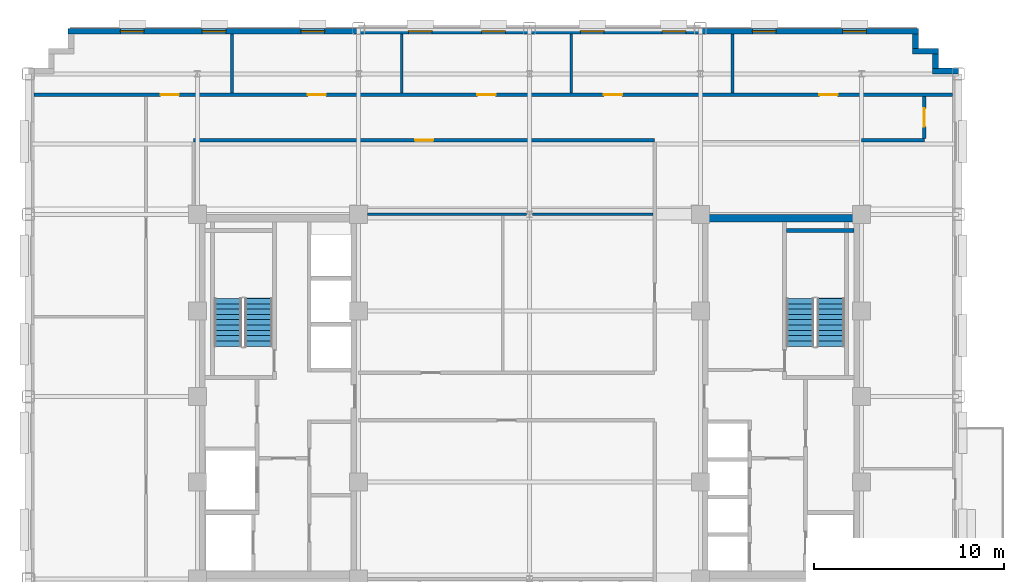
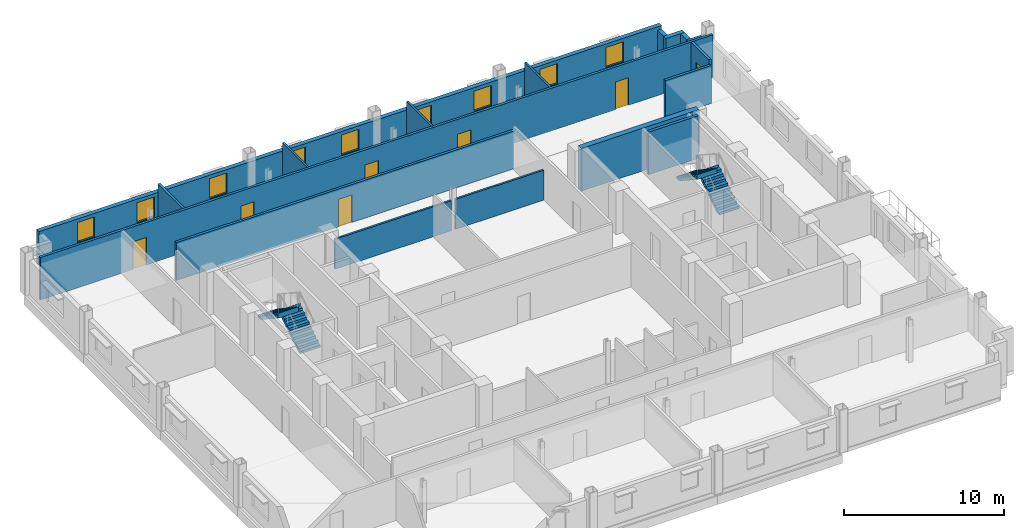
# One storey, part 10 of 14: 17 walls, 9 windows, 7 doors, 4 stair flights, 16 openings, 2 elements without a shape of their own.
"""IFC4 building model written with IfcOpenShell, lengths in metres."""

from ifc_helpers import new_model, si_unit, direction, frame, frame_2d, origin, place, context, subcontext, project, spatial, polyline, rectangle, outline, extrude, source, transform, mapped, material, layer, layer_set, type_object, type_shapes, element, fill, aggregate, save


model = new_model("IFC4")

# Units and contexts
model_context = context("Model", 3, precision=1e-05, world=origin(), true_north=direction((0.0, 1.0)))
body_context = subcontext(model_context, "Body", "Model", "MODEL_VIEW")
ifc_project = project(units=[si_unit("LENGTHUNIT", "METRE"), si_unit("AREAUNIT", "SQUARE_METRE"), si_unit("VOLUMEUNIT", "CUBIC_METRE"), si_unit("PLANEANGLEUNIT", "RADIAN"), si_unit("MASSUNIT", "GRAM", prefix="KILO")], contexts=[model_context])

# Site, building, storey
site_placement = place(None, origin())
site = spatial("IfcSite", under=ifc_project, at=site_placement, CompositionType="ELEMENT")
building_placement = place(site_placement, origin())
building = spatial("IfcBuilding", under=site, at=building_placement, Name="Nuvemarco Arch Tower", CompositionType="ELEMENT")
storey_placement = place(building_placement, frame((0.0, 0.0, 182.25)))
storey = spatial("IfcBuildingStorey", under=building, at=storey_placement, Name="L48", CompositionType="ELEMENT", Elevation=182.25)

# Walls
ifc_material_1 = material(Name="Precast concrete C45/55", Category="concrete")
ifc_layer_1 = layer(ifc_material_1, 0.31005859375, Name="EW-UPP-310")
ifc_layer_set_1 = layer_set([ifc_layer_1], Name="Precast concrete C45/55")
wall_type_1 = type_object("IfcWallType", Name="EW-UPP-310", PredefinedType="STANDARD", material=ifc_layer_set_1)
wall_1_placement = place(storey_placement, frame((21.239990234375, 17.14501953125, 0.0), z_axis=(0.0, 0.0, 1.0), x_axis=(1.0, 0.0, 0.0)))
element("IfcWall", 1, at=wall_1_placement, inside=storey, type_object=wall_type_1, Name="L48 exterior precast facade wall 7", PredefinedType="STANDARD", context=body_context, shape_type="SweptSolid", body=[
    extrude(rectangle(XDim=1.360107421875, YDim=0.31005859375, at=frame_2d((0.68017578125, 0.0))), origin(), (0.0, 0.0, 1.0), 2.3349609375),
])
wall_2_placement = place(storey_placement, frame((21.39501953125, 17.2958984375, 0.0), z_axis=(0.0, 0.0, 1.0), x_axis=(0.0, 1.0, 0.0)))
element("IfcWall", 2, at=wall_2_placement, inside=storey, type_object=wall_type_1, Name="L48 exterior precast facade wall 8", PredefinedType="STANDARD", context=body_context, shape_type="SweptSolid", body=[
    extrude(rectangle(XDim=0.748046875, YDim=0.31005859375, at=frame_2d((0.3740234375, 0.0))), origin(), (0.0, 0.0, 1.0), 2.3349609375),
])
wall_3_placement = place(storey_placement, frame((20.18994140625, 18.195068359375, 0.0), z_axis=(0.0, 0.0, 1.0), x_axis=(1.0, 0.0, 0.0)))
element("IfcWall", 3, at=wall_3_placement, inside=storey, type_object=wall_type_1, Name="L48 exterior precast facade wall 9", PredefinedType="STANDARD", context=body_context, shape_type="SweptSolid", body=[
    extrude(rectangle(XDim=1.360107421875, YDim=0.31005859375, at=frame_2d((0.68017578125, 0.0))), origin(), (0.0, 0.0, 1.0), 2.3349609375),
])
wall_4_placement = place(storey_placement, frame((20.344970703125, 18.345947265625, 0.0), z_axis=(0.0, 0.0, 1.0), x_axis=(0.0, 1.0, 0.0)))
element("IfcWall", 4, at=wall_4_placement, inside=storey, type_object=wall_type_1, Name="L48 exterior precast facade wall 10", PredefinedType="STANDARD", context=body_context, shape_type="SweptSolid", body=[
    extrude(rectangle(XDim=0.748046875, YDim=0.31005859375, at=frame_2d((0.3740234375, 0.0))), origin(), (0.0, 0.0, 1.0), 2.3349609375),
])

# Wall, openings, windows
wall_5_placement = place(storey_placement, frame((-24.300048828125, 19.2451171875, 0.0), z_axis=(0.0, 0.0, 1.0), x_axis=(1.0, 0.0, 0.0)))
wall_5 = element("IfcWall", 5, at=wall_5_placement, inside=storey, type_object=wall_type_1, Name="L48 exterior precast facade wall 11", PredefinedType="STANDARD", context=body_context, shape_type="SweptSolid", body=[
    extrude(rectangle(XDim=44.800048828125, YDim=0.31005859375, at=frame_2d((22.39990234375, 0.0))), origin(), (0.0, 0.0, 1.0), 2.5849609375),
])
opening_1_placement = place(wall_5_placement, frame((2.752685546875, 0.0, 0.800048828125)))
opening_1 = element("IfcOpeningElement", 6, at=opening_1_placement, cuts=wall_5, Name="Opening WN-13", PredefinedType="OPENING", context=body_context, shape_type="SweptSolid", body=[
    extrude(rectangle(XDim=1.25, YDim=1.52001953125, at=frame_2d((0.625, 0.760009765625))), frame((0.0, 0.1650390625, 0.0), z_axis=(0.0, -1.0, 0.0), x_axis=(1.0, 0.0, 0.0)), (0.0, 0.0, 1.0), 0.330078125),
])
opening_2_placement = place(wall_5_placement, frame((7.058349609375, 0.0, 0.800048828125)))
opening_2 = element("IfcOpeningElement", 7, at=opening_2_placement, cuts=wall_5, Name="Opening WN-13", PredefinedType="OPENING", context=body_context, shape_type="SweptSolid", body=[
    extrude(rectangle(XDim=1.25, YDim=1.52001953125, at=frame_2d((0.625, 0.760009765625))), frame((0.0, 0.1650390625, 0.0), z_axis=(0.0, -1.0, 0.0), x_axis=(1.0, 0.0, 0.0)), (0.0, 0.0, 1.0), 0.330078125),
])
opening_3_placement = place(wall_5_placement, frame((12.263916015625, 0.0, 0.800048828125)))
opening_3 = element("IfcOpeningElement", 8, at=opening_3_placement, cuts=wall_5, Name="Opening WN-13", PredefinedType="OPENING", context=body_context, shape_type="SweptSolid", body=[
    extrude(rectangle(XDim=1.25, YDim=1.52001953125, at=frame_2d((0.625, 0.760009765625))), frame((0.0, 0.1650390625, 0.0), z_axis=(0.0, -1.0, 0.0), x_axis=(1.0, 0.0, 0.0)), (0.0, 0.0, 1.0), 0.330078125),
])
opening_4_placement = place(wall_5_placement, frame((17.91943359375, 0.0, 0.800048828125)))
opening_4 = element("IfcOpeningElement", 9, at=opening_4_placement, cuts=wall_5, Name="Opening WN-13", PredefinedType="OPENING", context=body_context, shape_type="SweptSolid", body=[
    extrude(rectangle(XDim=1.25, YDim=1.52001953125, at=frame_2d((0.625, 0.760009765625))), frame((0.0, 0.1650390625, 0.0), z_axis=(0.0, -1.0, 0.0), x_axis=(1.0, 0.0, 0.0)), (0.0, 0.0, 1.0), 0.330078125),
])
opening_5_placement = place(wall_5_placement, frame((21.77490234375, 0.0, 0.800048828125)))
opening_5 = element("IfcOpeningElement", 10, at=opening_5_placement, cuts=wall_5, Name="Opening WN-13", PredefinedType="OPENING", context=body_context, shape_type="SweptSolid", body=[
    extrude(rectangle(XDim=1.25, YDim=1.52001953125, at=frame_2d((0.625, 0.760009765625))), frame((0.0, 0.1650390625, 0.0), z_axis=(0.0, -1.0, 0.0), x_axis=(1.0, 0.0, 0.0)), (0.0, 0.0, 1.0), 0.330078125),
])
opening_6_placement = place(wall_5_placement, frame((26.980712890625, 0.0, 0.800048828125)))
opening_6 = element("IfcOpeningElement", 11, at=opening_6_placement, cuts=wall_5, Name="Opening WN-13", PredefinedType="OPENING", context=body_context, shape_type="SweptSolid", body=[
    extrude(rectangle(XDim=1.25, YDim=1.52001953125, at=frame_2d((0.625, 0.760009765625))), frame((0.0, 0.1650390625, 0.0), z_axis=(0.0, -1.0, 0.0), x_axis=(1.0, 0.0, 0.0)), (0.0, 0.0, 1.0), 0.330078125),
])
opening_7_placement = place(wall_5_placement, frame((31.2861328125, 0.0, 0.800048828125)))
opening_7 = element("IfcOpeningElement", 12, at=opening_7_placement, cuts=wall_5, Name="Opening WN-13", PredefinedType="OPENING", context=body_context, shape_type="SweptSolid", body=[
    extrude(rectangle(XDim=1.25, YDim=1.52001953125, at=frame_2d((0.625, 0.760009765625))), frame((0.0, 0.1650390625, 0.0), z_axis=(0.0, -1.0, 0.0), x_axis=(1.0, 0.0, 0.0)), (0.0, 0.0, 1.0), 0.330078125),
])
opening_8_placement = place(wall_5_placement, frame((36.041748046875, 0.0, 0.800048828125)))
opening_8 = element("IfcOpeningElement", 13, at=opening_8_placement, cuts=wall_5, Name="Opening WN-13", PredefinedType="OPENING", context=body_context, shape_type="SweptSolid", body=[
    extrude(rectangle(XDim=1.25, YDim=1.52001953125, at=frame_2d((0.625, 0.760009765625))), frame((0.0, 0.1650390625, 0.0), z_axis=(0.0, -1.0, 0.0), x_axis=(1.0, 0.0, 0.0)), (0.0, 0.0, 1.0), 0.330078125),
])
opening_9_placement = place(wall_5_placement, frame((40.797119140625, 0.0, 0.800048828125)))
opening_9 = element("IfcOpeningElement", 14, at=opening_9_placement, cuts=wall_5, Name="Opening WN-13", PredefinedType="OPENING", context=body_context, shape_type="SweptSolid", body=[
    extrude(rectangle(XDim=1.25, YDim=1.52001953125, at=frame_2d((0.625, 0.760009765625))), frame((0.0, 0.1650390625, 0.0), z_axis=(0.0, -1.0, 0.0), x_axis=(1.0, 0.0, 0.0)), (0.0, 0.0, 1.0), 0.330078125),
])
ifc_material_2 = material(Name="Insulated solar-control glass", Category="glass")
window_type = type_object("IfcWindowType", Name="WN-SET-1250x1520", PartitioningType="SINGLE_PANEL", PredefinedType="WINDOW", material=ifc_material_2)
shared_shape_1 = source(origin(), body_context, "Body", "SweptSolid", [
    extrude(rectangle(XDim=1.25, YDim=1.52001953125, at=frame_2d((0.625, 0.760009765625))), frame((0.0, 0.030029296875, 0.0), z_axis=(0.0, -1.0, 0.0), x_axis=(1.0, 0.0, 0.0)), (0.0, 0.0, 1.0), 0.06005859375),
])
type_shapes(window_type, [shared_shape_1])
window_1_placement = place(opening_1_placement, origin())
window_1 = element("IfcWindow", 15, at=window_1_placement, inside=storey, type_object=window_type, Name="L48 punched facade window 1", OverallHeight=1.52001953125, OverallWidth=1.25, PartitioningType="SINGLE_PANEL", PredefinedType="WINDOW", context=body_context, shape_type="MappedRepresentation", body=[
    mapped(shared_shape_1, transform((0.0, 0.0, 0.0), scale=1.0)),
])
fill(opening_1, window_1)
window_2_placement = place(opening_2_placement, origin())
window_2 = element("IfcWindow", 16, at=window_2_placement, inside=storey, type_object=window_type, Name="L48 punched facade window 2", OverallHeight=1.52001953125, OverallWidth=1.25, PartitioningType="SINGLE_PANEL", PredefinedType="WINDOW", context=body_context, shape_type="MappedRepresentation", body=[
    mapped(shared_shape_1, transform((0.0, 0.0, 0.0), scale=1.0)),
])
fill(opening_2, window_2)
window_3_placement = place(opening_3_placement, origin())
window_3 = element("IfcWindow", 17, at=window_3_placement, inside=storey, type_object=window_type, Name="L48 punched facade window 3", OverallHeight=1.52001953125, OverallWidth=1.25, PartitioningType="SINGLE_PANEL", PredefinedType="WINDOW", context=body_context, shape_type="MappedRepresentation", body=[
    mapped(shared_shape_1, transform((0.0, 0.0, 0.0), scale=1.0)),
])
fill(opening_3, window_3)
window_4_placement = place(opening_4_placement, origin())
window_4 = element("IfcWindow", 18, at=window_4_placement, inside=storey, type_object=window_type, Name="L48 punched facade window 4", OverallHeight=1.52001953125, OverallWidth=1.25, PartitioningType="SINGLE_PANEL", PredefinedType="WINDOW", context=body_context, shape_type="MappedRepresentation", body=[
    mapped(shared_shape_1, transform((0.0, 0.0, 0.0), scale=1.0)),
])
fill(opening_4, window_4)
window_5_placement = place(opening_5_placement, origin())
window_5 = element("IfcWindow", 19, at=window_5_placement, inside=storey, type_object=window_type, Name="L48 punched facade window 5", OverallHeight=1.52001953125, OverallWidth=1.25, PartitioningType="SINGLE_PANEL", PredefinedType="WINDOW", context=body_context, shape_type="MappedRepresentation", body=[
    mapped(shared_shape_1, transform((0.0, 0.0, 0.0), scale=1.0)),
])
fill(opening_5, window_5)
window_6_placement = place(opening_6_placement, origin())
window_6 = element("IfcWindow", 20, at=window_6_placement, inside=storey, type_object=window_type, Name="L48 punched facade window 6", OverallHeight=1.52001953125, OverallWidth=1.25, PartitioningType="SINGLE_PANEL", PredefinedType="WINDOW", context=body_context, shape_type="MappedRepresentation", body=[
    mapped(shared_shape_1, transform((0.0, 0.0, 0.0), scale=1.0)),
])
fill(opening_6, window_6)
window_7_placement = place(opening_7_placement, origin())
window_7 = element("IfcWindow", 21, at=window_7_placement, inside=storey, type_object=window_type, Name="L48 punched facade window 7", OverallHeight=1.52001953125, OverallWidth=1.25, PartitioningType="SINGLE_PANEL", PredefinedType="WINDOW", context=body_context, shape_type="MappedRepresentation", body=[
    mapped(shared_shape_1, transform((0.0, 0.0, 0.0), scale=1.0)),
])
fill(opening_7, window_7)
window_8_placement = place(opening_8_placement, origin())
window_8 = element("IfcWindow", 22, at=window_8_placement, inside=storey, type_object=window_type, Name="L48 punched facade window 8", OverallHeight=1.52001953125, OverallWidth=1.25, PartitioningType="SINGLE_PANEL", PredefinedType="WINDOW", context=body_context, shape_type="MappedRepresentation", body=[
    mapped(shared_shape_1, transform((0.0, 0.0, 0.0), scale=1.0)),
])
fill(opening_8, window_8)
window_9_placement = place(opening_9_placement, origin())
window_9 = element("IfcWindow", 23, at=window_9_placement, inside=storey, type_object=window_type, Name="L48 punched facade window 9", OverallHeight=1.52001953125, OverallWidth=1.25, PartitioningType="SINGLE_PANEL", PredefinedType="WINDOW", context=body_context, shape_type="MappedRepresentation", body=[
    mapped(shared_shape_1, transform((0.0, 0.0, 0.0), scale=1.0)),
])
fill(opening_9, window_9)

# Wall
ifc_material_3 = material(Name="Concrete C60/75", Category="concrete")
ifc_layer_2 = layer(ifc_material_3, 0.39990234375, Name="WL-CORE-400")
ifc_layer_set_2 = layer_set([ifc_layer_2], Name="Concrete C60/75")
wall_type_2 = type_object("IfcWallType", Name="WL-CORE-400", PredefinedType="SHEAR", material=ifc_layer_set_2)
wall_6_placement = place(storey_placement, frame((9.0, 9.39990234375, 0.0), z_axis=(0.0, 0.0, 1.0), x_axis=(1.0, 0.0, 0.0)))
element("IfcWall", 24, at=wall_6_placement, inside=storey, type_object=wall_type_2, Name="L48 E-core shear wall N", PredefinedType="SHEAR", context=body_context, shape_type="SweptSolid", body=[
    extrude(rectangle(XDim=8.5, YDim=0.39990234375, at=frame_2d((4.25, 0.0))), origin(), (0.0, 0.0, 1.0), 3.25),
])

# Wall, opening, door
ifc_material_4 = material(Name="Fire-rated gypsum drywall partition")
ifc_layer_3 = layer(ifc_material_4, 0.179931640625, Name="WL-CORR-180")
ifc_layer_set_3 = layer_set([ifc_layer_3], Name="Fire-rated gypsum drywall partition")
wall_type_3 = type_object("IfcWallType", Name="WL-CORR-180", PredefinedType="PARTITIONING", material=ifc_layer_set_3)
wall_7_placement = place(storey_placement, frame((-17.699951171875, 13.5, 0.0), z_axis=(0.0, 0.0, 1.0), x_axis=(1.0, 0.0, 0.0)))
wall_7 = element("IfcWall", 25, at=wall_7_placement, inside=storey, type_object=wall_type_3, Name="L48 interior wall IW-L48-012", PredefinedType="PARTITIONING", context=body_context, shape_type="SweptSolid", body=[
    extrude(rectangle(XDim=24.300048828125, YDim=0.179931640625, at=frame_2d((12.14990234375, 0.0))), origin(), (0.0, 0.0, 1.0), 2.887939453125),
])
opening_10_placement = place(wall_7_placement, frame((11.669921875, 0.0, 0.0)))
opening_10 = element("IfcOpeningElement", 26, at=opening_10_placement, cuts=wall_7, Name="Opening FD-5", PredefinedType="OPENING", context=body_context, shape_type="SweptSolid", body=[
    extrude(rectangle(XDim=0.9599609375, YDim=2.10009765625, at=frame_2d((0.47998046875, 1.050048828125))), frame((0.0, 0.099853515625, 0.0), z_axis=(0.0, -1.0, 0.0), x_axis=(1.0, 0.0, 0.0)), (0.0, 0.0, 1.0), 0.199951171875),
])
ifc_material_5 = material(Name="Timber fire door", Category="wood")
door_type = type_object("IfcDoorType", Name="DR-CORR-FD", OperationType="NOTDEFINED", PredefinedType="DOOR", material=ifc_material_5)
shared_shape_2 = source(origin(), body_context, "Body", "SweptSolid", [
    extrude(rectangle(XDim=0.9599609375, YDim=2.10009765625, at=frame_2d((0.47998046875, 1.050048828125))), frame((0.0, 0.02490234375, 0.0), z_axis=(0.0, -1.0, 0.0), x_axis=(1.0, 0.0, 0.0)), (0.0, 0.0, 1.0), 0.050048828125),
])
type_shapes(door_type, [shared_shape_2])
door_1_placement = place(opening_10_placement, origin())
door_1 = element("IfcDoor", 27, at=door_1_placement, inside=storey, type_object=door_type, Name="L48 door DR-L48-IN_N1", OperationType="SINGLE_SWING_RIGHT", OverallHeight=2.10009765625, OverallWidth=0.9599609375, PredefinedType="DOOR", context=body_context, shape_type="MappedRepresentation", body=[
    mapped(shared_shape_2, transform((0.0, 0.0, 0.0), scale=1.0)),
])
fill(opening_10, door_1)

# Wall
wall_8_placement = place(storey_placement, frame((17.5, 13.5, 0.0), z_axis=(0.0, 0.0, 1.0), x_axis=(1.0, 0.0, 0.0)))
element("IfcWall", 28, at=wall_8_placement, inside=storey, type_object=wall_type_3, Name="L48 interior wall IW-L48-013", PredefinedType="PARTITIONING", context=body_context, shape_type="SweptSolid", body=[
    extrude(rectangle(XDim=3.300048828125, YDim=0.179931640625, at=frame_2d((1.64990234375, 0.0))), origin(), (0.0, 0.0, 1.0), 2.887939453125),
])

# Wall, openings, doors
wall_9_placement = place(storey_placement, frame((-26.090087890625, 15.89990234375, 0.0), z_axis=(0.0, 0.0, 1.0), x_axis=(1.0, 0.0, 0.0)))
wall_9 = element("IfcWall", 29, at=wall_9_placement, inside=storey, type_object=wall_type_3, Name="L48 interior wall IW-L48-014", PredefinedType="PARTITIONING", context=body_context, shape_type="SweptSolid", body=[
    extrude(rectangle(XDim=48.380126953125, YDim=0.179931640625, at=frame_2d((24.18994140625, 0.0))), origin(), (0.0, 0.0, 1.0), 3.239990234375),
])
opening_11_placement = place(wall_9_placement, frame((41.360107421875, 0.0, 0.0)))
opening_11 = element("IfcOpeningElement", 30, at=opening_11_placement, cuts=wall_9, Name="Opening FD-5", PredefinedType="OPENING", context=body_context, shape_type="SweptSolid", body=[
    extrude(rectangle(XDim=0.9599609375, YDim=2.10009765625, at=frame_2d((0.47998046875, 1.050048828125))), frame((0.0, 0.099853515625, 0.0), z_axis=(0.0, -1.0, 0.0), x_axis=(1.0, 0.0, 0.0)), (0.0, 0.0, 1.0), 0.199951171875),
])
opening_12_placement = place(wall_9_placement, frame((23.35009765625, 0.0, 0.0)))
opening_12 = element("IfcOpeningElement", 31, at=opening_12_placement, cuts=wall_9, Name="Opening FD-5", PredefinedType="OPENING", context=body_context, shape_type="SweptSolid", body=[
    extrude(rectangle(XDim=0.9599609375, YDim=2.10009765625, at=frame_2d((0.47998046875, 1.050048828125))), frame((0.0, 0.099853515625, 0.0), z_axis=(0.0, -1.0, 0.0), x_axis=(1.0, 0.0, 0.0)), (0.0, 0.0, 1.0), 0.199951171875),
])
opening_13_placement = place(wall_9_placement, frame((14.409912109375, 0.0, 0.0)))
opening_13 = element("IfcOpeningElement", 32, at=opening_13_placement, cuts=wall_9, Name="Opening FD-5", PredefinedType="OPENING", context=body_context, shape_type="SweptSolid", body=[
    extrude(rectangle(XDim=0.9599609375, YDim=2.10009765625, at=frame_2d((0.47998046875, 1.050048828125))), frame((0.0, 0.099853515625, 0.0), z_axis=(0.0, -1.0, 0.0), x_axis=(1.0, 0.0, 0.0)), (0.0, 0.0, 1.0), 0.199951171875),
])
opening_14_placement = place(wall_9_placement, frame((30.014892578125, 0.0, 0.0)))
opening_14 = element("IfcOpeningElement", 33, at=opening_14_placement, cuts=wall_9, Name="Opening FD-5", PredefinedType="OPENING", context=body_context, shape_type="SweptSolid", body=[
    extrude(rectangle(XDim=0.9599609375, YDim=2.10009765625, at=frame_2d((0.47998046875, 1.050048828125))), frame((0.0, 0.099853515625, 0.0), z_axis=(0.0, -1.0, 0.0), x_axis=(1.0, 0.0, 0.0)), (0.0, 0.0, 1.0), 0.199951171875),
])
opening_15_placement = place(wall_9_placement, frame((6.659912109375, 0.0, 0.0)))
opening_15 = element("IfcOpeningElement", 34, at=opening_15_placement, cuts=wall_9, Name="Opening FD-5", PredefinedType="OPENING", context=body_context, shape_type="SweptSolid", body=[
    extrude(rectangle(XDim=0.9599609375, YDim=2.10009765625, at=frame_2d((0.47998046875, 1.050048828125))), frame((0.0, 0.099853515625, 0.0), z_axis=(0.0, -1.0, 0.0), x_axis=(1.0, 0.0, 0.0)), (0.0, 0.0, 1.0), 0.199951171875),
])
door_2_placement = place(opening_11_placement, origin())
door_2 = element("IfcDoor", 35, at=door_2_placement, inside=storey, type_object=door_type, Name="L48 door DR-L48-N_5", OperationType="SINGLE_SWING_LEFT", OverallHeight=2.10009765625, OverallWidth=0.9599609375, PredefinedType="DOOR", context=body_context, shape_type="MappedRepresentation", body=[
    mapped(shared_shape_2, transform((0.0, 0.0, 0.0), scale=1.0)),
])
fill(opening_11, door_2)
door_3_placement = place(opening_12_placement, origin())
door_3 = element("IfcDoor", 36, at=door_3_placement, inside=storey, type_object=door_type, Name="L48 door DR-L48-N_3", OperationType="SINGLE_SWING_RIGHT", OverallHeight=2.10009765625, OverallWidth=0.9599609375, PredefinedType="DOOR", context=body_context, shape_type="MappedRepresentation", body=[
    mapped(shared_shape_2, transform((0.0, 0.0, 0.0), scale=1.0)),
])
fill(opening_12, door_3)
door_4_placement = place(opening_13_placement, origin())
door_4 = element("IfcDoor", 37, at=door_4_placement, inside=storey, type_object=door_type, Name="L48 door DR-L48-N_2", OperationType="SINGLE_SWING_LEFT", OverallHeight=2.10009765625, OverallWidth=0.9599609375, PredefinedType="DOOR", context=body_context, shape_type="MappedRepresentation", body=[
    mapped(shared_shape_2, transform((0.0, 0.0, 0.0), scale=1.0)),
])
fill(opening_13, door_4)
door_5_placement = place(opening_14_placement, origin())
door_5 = element("IfcDoor", 38, at=door_5_placement, inside=storey, type_object=door_type, Name="L48 door DR-L48-N_4", OperationType="SINGLE_SWING_LEFT", OverallHeight=2.10009765625, OverallWidth=0.9599609375, PredefinedType="DOOR", context=body_context, shape_type="MappedRepresentation", body=[
    mapped(shared_shape_2, transform((0.0, 0.0, 0.0), scale=1.0)),
])
fill(opening_14, door_5)
door_6_placement = place(opening_15_placement, origin())
door_6 = element("IfcDoor", 39, at=door_6_placement, inside=storey, type_object=door_type, Name="L48 door DR-L48-N_1", OperationType="SINGLE_SWING_LEFT", OverallHeight=2.10009765625, OverallWidth=0.9599609375, PredefinedType="DOOR", context=body_context, shape_type="MappedRepresentation", body=[
    mapped(shared_shape_2, transform((0.0, 0.0, 0.0), scale=1.0)),
])
fill(opening_15, door_6)

# Wall
wall_10_placement = place(storey_placement, frame((-15.669921875, 15.986083984375, 0.0), z_axis=(0.0, 0.0, 1.0), x_axis=(0.0, 1.0, 0.0)))
element("IfcWall", 40, at=wall_10_placement, inside=storey, type_object=wall_type_3, Name="L48 interior wall IW-L48-019", PredefinedType="PARTITIONING", context=body_context, shape_type="SweptSolid", body=[
    extrude(rectangle(XDim=3.10400390625, YDim=0.179931640625, at=frame_2d((1.552001953125, 0.0))), origin(), (0.0, 0.0, 1.0), 3.239990234375),
])

# Wall, opening, door
wall_11_placement = place(storey_placement, frame((20.800048828125, 13.5859375, 0.0), z_axis=(0.0, 0.0, 1.0), x_axis=(0.0, 1.0, 0.0)))
wall_11 = element("IfcWall", 41, at=wall_11_placement, inside=storey, type_object=wall_type_3, Name="L48 interior wall IW-L48-034", PredefinedType="PARTITIONING", context=body_context, shape_type="SweptSolid", body=[
    extrude(rectangle(XDim=2.22802734375, YDim=0.179931640625, at=frame_2d((1.114013671875, 0.0))), origin(), (0.0, 0.0, 1.0), 3.239990234375),
])
opening_16_placement = place(wall_11_placement, frame((0.634033203125, 0.0, 0.0)))
opening_16 = element("IfcOpeningElement", 42, at=opening_16_placement, cuts=wall_11, Name="Opening FD-5", PredefinedType="OPENING", context=body_context, shape_type="SweptSolid", body=[
    extrude(rectangle(XDim=0.9599609375, YDim=2.10009765625, at=frame_2d((0.47998046875, 1.050048828125))), frame((0.0, 0.099853515625, 0.0), z_axis=(0.0, -1.0, 0.0), x_axis=(1.0, 0.0, 0.0)), (0.0, 0.0, 1.0), 0.199951171875),
])
door_7_placement = place(opening_16_placement, origin())
door_7 = element("IfcDoor", 43, at=door_7_placement, inside=storey, type_object=door_type, Name="L48 door DR-L48-E_2", OperationType="SINGLE_SWING_LEFT", OverallHeight=2.10009765625, OverallWidth=0.9599609375, PredefinedType="DOOR", context=body_context, shape_type="MappedRepresentation", body=[
    mapped(shared_shape_2, transform((0.0, 0.0, 0.0), scale=1.0)),
])
fill(opening_16, door_7)

# Walls
ifc_material_6 = material(Name="Gypsum plasterboard partition")
ifc_layer_4 = layer(ifc_material_6, 0.139892578125, Name="WL-ROOM-140")
ifc_layer_set_4 = layer_set([ifc_layer_4], Name="Gypsum plasterboard partition")
wall_type_4 = type_object("IfcWallType", Name="WL-ROOM-140", PredefinedType="PARTITIONING", material=ifc_layer_set_4)
wall_12_placement = place(storey_placement, frame((-8.529052734375, 9.60009765625, 0.0), z_axis=(0.0, 0.0, 1.0), x_axis=(1.0, 0.0, 0.0)))
element("IfcWall", 44, at=wall_12_placement, inside=storey, type_object=wall_type_4, Name="L48 interior wall IW-L48-010", PredefinedType="PARTITIONING", context=body_context, shape_type="SweptSolid", body=[
    extrude(rectangle(XDim=8.378173828125, YDim=0.139892578125, at=frame_2d((4.18896484375, 0.0))), origin(), (0.0, 0.0, 1.0), 2.284912109375),
])
wall_13_placement = place(storey_placement, frame((0.15087890625, 9.60009765625, 0.0), z_axis=(0.0, 0.0, 1.0), x_axis=(1.0, 0.0, 0.0)))
element("IfcWall", 45, at=wall_13_placement, inside=storey, type_object=wall_type_4, Name="L48 interior wall IW-L48-011", PredefinedType="PARTITIONING", context=body_context, shape_type="SweptSolid", body=[
    extrude(rectangle(XDim=6.363037109375, YDim=0.139892578125, at=frame_2d((3.181640625, 0.0))), origin(), (0.0, 0.0, 1.0), 2.284912109375),
])
for number, where, z_axis, x_axis, name in (
    (46, (-6.72998046875, 15.986083984375, 0.0), (0.0, 0.0, 1.0), (0.0, 1.0, 0.0), "L48 interior wall IW-L48-021"),
    (47, (2.2099609375, 15.986083984375, 0.0), (0.0, 0.0, 1.0), (0.0, 1.0, 0.0), "L48 interior wall IW-L48-026"),
    (48, (10.699951171875, 15.986083984375, 0.0), (0.0, 0.0, 1.0), (0.0, 1.0, 0.0), "L48 interior wall IW-L48-032"),
):
    element("IfcWall", number, at=place(storey_placement, frame(where, z_axis=z_axis, x_axis=x_axis)), inside=storey, type_object=wall_type_4, Name=name, PredefinedType="PARTITIONING", context=body_context, shape_type="SweptSolid", body=[
        extrude(rectangle(XDim=3.10400390625, YDim=0.139892578125, at=frame_2d((1.552001953125, 0.0))), origin(), (0.0, 0.0, 1.0), 3.239990234375),
    ])
ifc_material_7 = material(Name="Concrete C50/60", Category="concrete")
ifc_layer_5 = layer(ifc_material_7, 0.199951171875, Name="WL-SHAFT-220")
ifc_layer_set_5 = layer_set([ifc_layer_5], Name="Concrete C50/60")
wall_type_5 = type_object("IfcWallType", Name="WL-SHAFT-220", PredefinedType="SHEAR", material=ifc_layer_set_5)
wall_14_placement = place(storey_placement, frame((13.534912109375, 8.75, 0.0), z_axis=(0.0, 0.0, 1.0), x_axis=(1.0, 0.0, 0.0)))
element("IfcWall", 49, at=wall_14_placement, inside=storey, type_object=wall_type_5, Name="L48 structural shaft wall SW-L48-E-ST2N", PredefinedType="SHEAR", context=body_context, shape_type="SweptSolid", body=[
    extrude(rectangle(XDim=3.570068359375, YDim=0.199951171875, at=frame_2d((1.78515625, 0.0))), origin(), (0.0, 0.0, 1.0), 3.25),
])

# Stair, stair flights
stair_type = type_object("IfcStairType", Name="ST-CORE-20R", PredefinedType="HALF_TURN_STAIR", material=ifc_material_1)
stair_1_placement = place(storey_placement, origin())
stair_1 = element("IfcStair", 50, at=stair_1_placement, inside=storey, type_object=stair_type, Name="L48 Protected Exit Stair ST-1", PredefinedType="HALF_TURN_STAIR")
stair_flight_type = type_object("IfcStairFlightType", Name="SF-CORE-20R", PredefinedType="STRAIGHT", material=ifc_material_1)
stair_flight_1_placement = place(storey_placement, frame((-14.264892578125, 2.64990234375, 0.0), z_axis=(0.0, 0.0, 1.0), x_axis=(0.0, 1.0, 0.0)))
stair_flight_1 = element("IfcStairFlight", 51, at=stair_flight_1_placement, type_object=stair_flight_type, Name="ST-20R flight 1", NumberOfRisers=10, NumberOfTreads=9, PredefinedType="STRAIGHT", RiserHeight=0.1825, TreadLength=0.28, context=body_context, shape_type="SweptSolid", body=[
    extrude(outline(polyline([(0.0, 0.0), (0.0, 0.1826171875), (0.280029296875, 0.1826171875), (0.280029296875, 0.364990234375), (0.56005859375, 0.364990234375), (0.56005859375, 0.547607421875), (0.840087890625, 0.547607421875), (0.840087890625, 0.72998046875), (1.1201171875, 0.72998046875), (1.1201171875, 0.91259765625), (1.39990234375, 0.91259765625), (1.39990234375, 1.094970703125), (1.679931640625, 1.094970703125), (1.679931640625, 1.277587890625), (1.9599609375, 1.277587890625), (1.9599609375, 1.4599609375), (2.239990234375, 1.4599609375), (2.239990234375, 1.642578125), (2.52001953125, 1.642578125), (2.52001953125, 1.824951171875), (2.5400390625, 1.824951171875), (2.5400390625, 1.45166015625), (0.312744140625, 0.0), (0.0, 0.0)])), frame((0.0, 0.72509765625, 0.0), z_axis=(0.0, -1.0, 0.0), x_axis=(1.0, 0.0, 0.0)), (0.0, 0.0, 1.0), 1.449951171875),
])
stair_flight_2_placement = place(storey_placement, frame((-15.875, 5.169921875, 1.824951171875), z_axis=(0.0, 0.0, 1.0), x_axis=(0.0, -1.0, 0.0)))
stair_flight_2 = element("IfcStairFlight", 52, at=stair_flight_2_placement, type_object=stair_flight_type, Name="ST-20R flight 2", NumberOfRisers=10, NumberOfTreads=9, PredefinedType="STRAIGHT", RiserHeight=0.1825, TreadLength=0.28, context=body_context, shape_type="SweptSolid", body=[
    extrude(outline(polyline([(0.0, 0.0), (0.0, 0.1826171875), (0.280029296875, 0.1826171875), (0.280029296875, 0.364990234375), (0.56005859375, 0.364990234375), (0.56005859375, 0.547607421875), (0.840087890625, 0.547607421875), (0.840087890625, 0.72998046875), (1.1201171875, 0.72998046875), (1.1201171875, 0.91259765625), (1.39990234375, 0.91259765625), (1.39990234375, 1.094970703125), (1.679931640625, 1.094970703125), (1.679931640625, 1.277587890625), (1.9599609375, 1.277587890625), (1.9599609375, 1.4599609375), (2.239990234375, 1.4599609375), (2.239990234375, 1.642578125), (2.52001953125, 1.642578125), (2.52001953125, 1.824951171875), (2.5400390625, 1.824951171875), (2.5400390625, 1.45166015625), (0.312744140625, 0.0), (0.0, 0.0)])), frame((0.0, 0.72509765625, 0.0), z_axis=(0.0, -1.0, 0.0), x_axis=(1.0, 0.0, 0.0)), (0.0, 0.0, 1.0), 1.449951171875),
])
aggregate(stair_1, [stair_flight_1, stair_flight_2])

stair_2_placement = place(storey_placement, origin())
stair_2 = element("IfcStair", 53, at=stair_2_placement, inside=storey, type_object=stair_type, Name="L48 Protected Exit Stair ST-2", PredefinedType="HALF_TURN_STAIR")
stair_flight_3_placement = place(storey_placement, frame((15.875, 2.64990234375, 0.0), z_axis=(0.0, 0.0, 1.0), x_axis=(0.0, 1.0, 0.0)))
stair_flight_3 = element("IfcStairFlight", 54, at=stair_flight_3_placement, type_object=stair_flight_type, Name="ST-20R flight 1", NumberOfRisers=10, NumberOfTreads=9, PredefinedType="STRAIGHT", RiserHeight=0.1825, TreadLength=0.28, context=body_context, shape_type="SweptSolid", body=[
    extrude(outline(polyline([(0.0, 0.0), (0.0, 0.1826171875), (0.280029296875, 0.1826171875), (0.280029296875, 0.364990234375), (0.56005859375, 0.364990234375), (0.56005859375, 0.547607421875), (0.840087890625, 0.547607421875), (0.840087890625, 0.72998046875), (1.1201171875, 0.72998046875), (1.1201171875, 0.91259765625), (1.39990234375, 0.91259765625), (1.39990234375, 1.094970703125), (1.679931640625, 1.094970703125), (1.679931640625, 1.277587890625), (1.9599609375, 1.277587890625), (1.9599609375, 1.4599609375), (2.239990234375, 1.4599609375), (2.239990234375, 1.642578125), (2.52001953125, 1.642578125), (2.52001953125, 1.824951171875), (2.5400390625, 1.824951171875), (2.5400390625, 1.45166015625), (0.312744140625, 0.0), (0.0, 0.0)])), frame((0.0, 0.72509765625, 0.0), z_axis=(0.0, -1.0, 0.0), x_axis=(1.0, 0.0, 0.0)), (0.0, 0.0, 1.0), 1.449951171875),
])
stair_flight_4_placement = place(storey_placement, frame((14.264892578125, 5.169921875, 1.824951171875), z_axis=(0.0, 0.0, 1.0), x_axis=(0.0, -1.0, 0.0)))
stair_flight_4 = element("IfcStairFlight", 55, at=stair_flight_4_placement, type_object=stair_flight_type, Name="ST-20R flight 2", NumberOfRisers=10, NumberOfTreads=9, PredefinedType="STRAIGHT", RiserHeight=0.1825, TreadLength=0.28, context=body_context, shape_type="SweptSolid", body=[
    extrude(outline(polyline([(0.0, 0.0), (0.0, 0.1826171875), (0.280029296875, 0.1826171875), (0.280029296875, 0.364990234375), (0.56005859375, 0.364990234375), (0.56005859375, 0.547607421875), (0.840087890625, 0.547607421875), (0.840087890625, 0.72998046875), (1.1201171875, 0.72998046875), (1.1201171875, 0.91259765625), (1.39990234375, 0.91259765625), (1.39990234375, 1.094970703125), (1.679931640625, 1.094970703125), (1.679931640625, 1.277587890625), (1.9599609375, 1.277587890625), (1.9599609375, 1.4599609375), (2.239990234375, 1.4599609375), (2.239990234375, 1.642578125), (2.52001953125, 1.642578125), (2.52001953125, 1.824951171875), (2.5400390625, 1.824951171875), (2.5400390625, 1.45166015625), (0.312744140625, 0.0), (0.0, 0.0)])), frame((0.0, 0.72509765625, 0.0), z_axis=(0.0, -1.0, 0.0), x_axis=(1.0, 0.0, 0.0)), (0.0, 0.0, 1.0), 1.449951171875),
])
aggregate(stair_2, [stair_flight_3, stair_flight_4])

save(model, "model.ifc")
